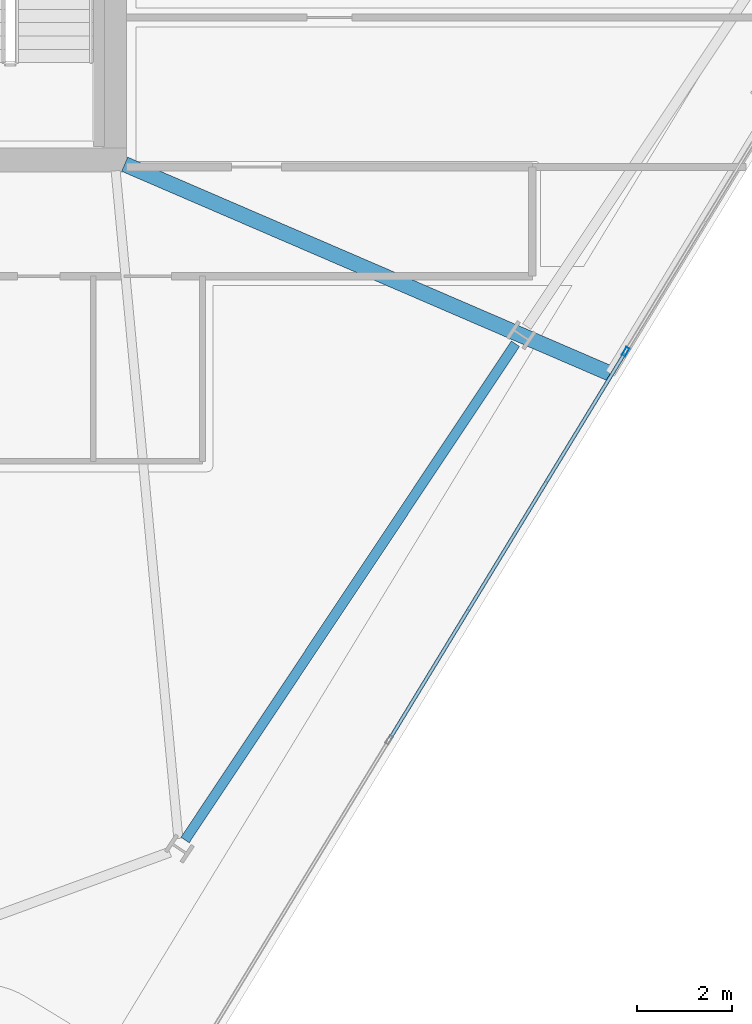
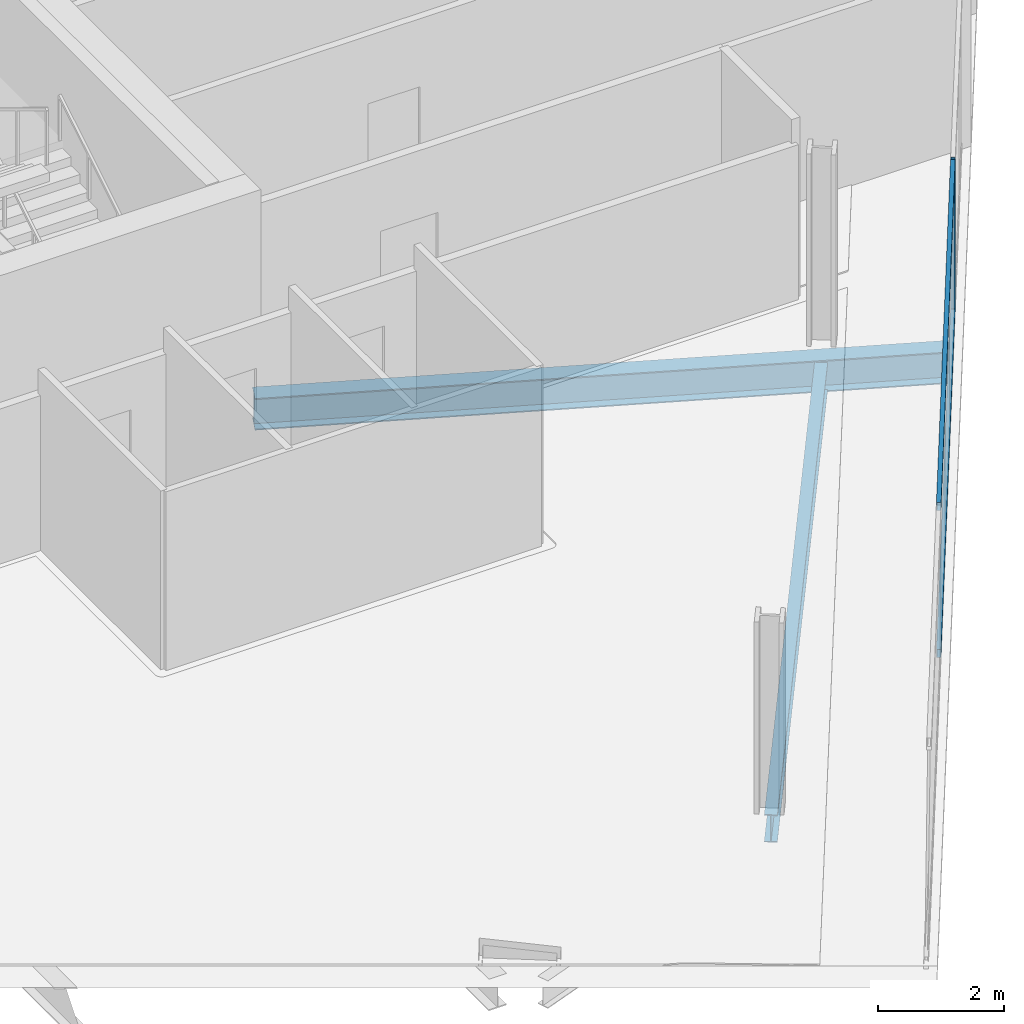
# One storey, part 10 of 28: 3 members, 2 beams, 1 element without a shape of its own.
"""IFC4 building model written with IfcOpenShell, lengths in metres."""

import ifcopenshell
import ifcopenshell.guid

model = None  # the IFC model being written
_history = None  # IfcOwnerHistory: only IFC2X3 demands one
_inside = {}  # id of a spatial element -> (the spatial element, [elements in it])
_under = {}  # id of a project, library or spatial element -> (it, [spatial elements below it])
_declared = {}  # id of a project -> (the project, [libraries it declares])
_typed = {}  # id of a type object -> (the type object, [elements of that type])
_made_of = {}  # id of a material, layer set ... -> (it, [elements and type objects made of it])


def new_model(schema):
    """Start an empty IFC model of exactly this schema.

    Asked for "IFC4X3", IfcOpenShell would pick the latest addendum, in which some entities
    have other attributes; the version numbers below select the first issue.
    IFC2X3 requires an IfcOwnerHistory on every rooted entity: one is made here for all.
    """
    global model, _history
    if schema == "IFC4X3":
        model = ifcopenshell.file(schema_version=(4, 3, 0, 0))
    else:
        model = ifcopenshell.file(schema=schema)
    _inside.clear()
    _under.clear()
    _declared.clear()
    _typed.clear()
    _made_of.clear()
    _history = None
    if model.schema == "IFC2X3":
        org = make("IfcOrganization", Name="unknown")
        user = make(
            "IfcPersonAndOrganization",
            ThePerson=make("IfcPerson", FamilyName="unknown"),
            TheOrganization=org,
        )
        app = make(
            "IfcApplication",
            ApplicationDeveloper=org,
            Version="unknown",
            ApplicationFullName="unknown",
            ApplicationIdentifier="unknown",
        )
        _history = make(
            "IfcOwnerHistory",
            OwningUser=user,
            OwningApplication=app,
            ChangeAction="ADDED",
            CreationDate=0,
        )
    return model


def make(cls, **values):
    """One entity of the class cls with the attributes given. An attribute that is None is left unset."""
    return model.create_entity(
        cls, **{name: value for name, value in values.items() if value is not None}
    )


def rooted(cls, **values):
    """An entity with a GlobalId (a new one), such as an element, a storey or a relation."""
    return make(cls, GlobalId=ifcopenshell.guid.new(), OwnerHistory=_history, **values)


def si_unit(unit_type, name, prefix=None):
    """IfcSIUnit, for example si_unit("LENGTHUNIT", "METRE", prefix="MILLI")."""
    return make("IfcSIUnit", UnitType=unit_type, Prefix=prefix, Name=name)


def assignment(units):
    """IfcUnitAssignment: the units of a project."""
    return None if units is None else make("IfcUnitAssignment", Units=units)


def point(xyz):
    """IfcCartesianPoint."""
    return None if xyz is None else make("IfcCartesianPoint", Coordinates=xyz)


def direction(xyz):
    """IfcDirection."""
    return None if xyz is None else make("IfcDirection", DirectionRatios=xyz)


def frame(location, z_axis=None, x_axis=None):
    """IfcAxis2Placement3D, a coordinate frame: its origin and axes. An axis left out is left unset."""
    return make(
        "IfcAxis2Placement3D",
        Location=point(location),
        Axis=direction(z_axis),
        RefDirection=direction(x_axis),
    )


def frame_2d(location, x_axis=None):
    """IfcAxis2Placement2D, a coordinate frame in the plane: its origin and x axis."""
    return make(
        "IfcAxis2Placement2D", Location=point(location), RefDirection=direction(x_axis)
    )


def origin():
    """The frame at (0, 0, 0) with its axes left unset."""
    return frame((0.0, 0.0, 0.0))


def origin_2d():
    """The frame at (0, 0) in the plane with its x axis left unset."""
    return frame_2d((0.0, 0.0))


def place(relative_to, where):
    """IfcLocalPlacement: puts the frame where relative to a parent placement (None: the world)."""
    return make(
        "IfcLocalPlacement", PlacementRelTo=relative_to, RelativePlacement=where
    )


def context(
    kind, dimensions, precision=None, world=None, true_north=None, identifier=None
):
    """IfcGeometricRepresentationContext, for example the 3D "Model" context."""
    return make(
        "IfcGeometricRepresentationContext",
        ContextIdentifier=identifier,
        ContextType=kind,
        CoordinateSpaceDimension=dimensions,
        Precision=precision,
        WorldCoordinateSystem=world,
        TrueNorth=true_north,
    )


def subcontext(parent, identifier, kind, view, scale=None):
    """IfcGeometricRepresentationSubContext, for example "Body" below "Model"."""
    return make(
        "IfcGeometricRepresentationSubContext",
        ContextIdentifier=identifier,
        ContextType=kind,
        ParentContext=parent,
        TargetScale=scale,
        TargetView=view,
    )


def project(units=None, contexts=None):
    """IfcProject with its units and contexts."""
    return rooted(
        "IfcProject",
        Name="project",
        RepresentationContexts=contexts,
        UnitsInContext=assignment(units),
    )


def spatial(cls, under=None, at=None, **own):
    """A site, building, storey or space (cls), placed at a placement, below another one or the project."""
    s = rooted(cls, ObjectPlacement=at, **own)
    if under is not None:
        _under.setdefault(under.id(), (under, []))[1].append(s)
    return s


def profile(cls, at=None, kind="AREA", **sizes):
    """A parametric profile (cls). Its sizes go by their IFC names, for example OverallWidth=200.0."""
    return make(cls, ProfileType=kind, Position=at, **sizes)


def hollow_rectangle(**sizes):
    """IfcRectangleHollowProfileDef."""
    return profile("IfcRectangleHollowProfileDef", **sizes)


def i_section(**sizes):
    """IfcIShapeProfileDef."""
    return profile("IfcIShapeProfileDef", **sizes)


def extrude(swept, where, along, depth):
    """IfcExtrudedAreaSolid: the profile swept, set in the frame where, extruded along a direction by depth."""
    return make(
        "IfcExtrudedAreaSolid",
        SweptArea=swept,
        Position=where,
        ExtrudedDirection=direction(along),
        Depth=depth,
    )


def shape(context_of_items, identifier, shape_type, items):
    """IfcShapeRepresentation: the items that make up one representation, for example the "Body"."""
    return make(
        "IfcShapeRepresentation",
        ContextOfItems=context_of_items,
        RepresentationIdentifier=identifier,
        RepresentationType=shape_type,
        Items=items,
    )


def material(Name=None, Category=None):
    """IfcMaterial."""
    return make("IfcMaterial", Name=Name, Category=Category)


def material_profile(
    of_material, cross_section, Name=None, Category=None, Priority=None
):
    """IfcMaterialProfile: a cross section and its material."""
    return make(
        "IfcMaterialProfile",
        Name=Name,
        Material=of_material,
        Profile=cross_section,
        Priority=Priority,
        Category=Category,
    )


def profile_set(profiles, Name=None, composite=None):
    """IfcMaterialProfileSet."""
    return make(
        "IfcMaterialProfileSet",
        Name=Name,
        MaterialProfiles=profiles,
        CompositeProfile=composite,
    )


def made_of(thing, what):
    """Note that an element or type object is made of a material, layer set ...; save() writes the relation."""
    if what is not None:
        _made_of.setdefault(what.id(), (what, []))[1].append(thing)
    return thing


def type_object(cls, material=None, **own):
    """A type object (cls), such as IfcWallType, which elements share."""
    return made_of(rooted(cls, **own), material)


def element(
    cls,
    number,
    at=None,
    inside=None,
    cuts=None,
    type_object=None,
    material=None,
    context=None,
    identifier="Body",
    shape_type=None,
    held_by="IfcProductDefinitionShape",
    body=None,
    shapes=None,
    **own,
):
    """One element of the class cls, such as IfcWall. Its Tag is "e" and its number.

    at: its placement. inside: the storey or other place that contains it. cuts: it is an
    opening in that element (IfcRelVoidsElement). A single representation is given by context,
    identifier, shape_type and body (its items); several are given by shapes. held_by: the class
    of the entity that holds the representations. save() writes the other relations.
    """
    e = rooted(cls, Tag="e%d" % number, ObjectPlacement=at, **own)
    if body is not None:
        shapes = [shape(context, identifier, shape_type, body)]
    if shapes is not None:
        e.Representation = make(held_by, Representations=shapes)
    if inside is not None:
        _inside.setdefault(inside.id(), (inside, []))[1].append(e)
    if cuts is not None:
        rooted(
            "IfcRelVoidsElement", RelatingBuildingElement=cuts, RelatedOpeningElement=e
        )
    if type_object is not None:
        _typed.setdefault(type_object.id(), (type_object, []))[1].append(e)
    return made_of(e, material)


def aggregate(whole, parts):
    """IfcRelAggregates: a whole, such as a stair, and the parts it consists of."""
    return rooted("IfcRelAggregates", RelatingObject=whole, RelatedObjects=parts)


def save(model, path):
    """Write the relations noted so far, then the file.

    IfcRelAggregates (storeys below a building ...), IfcRelContainedInSpatialStructure (elements
    in a storey), IfcRelDefinesByType, IfcRelAssociatesMaterial and IfcRelDeclares: one each for
    every whole, place, type object, material and project.
    """
    for whole, parts in _under.values():
        aggregate(whole, parts)
    for where, things in _inside.values():
        rooted(
            "IfcRelContainedInSpatialStructure",
            RelatedElements=things,
            RelatingStructure=where,
        )
    for kind, things in _typed.values():
        rooted("IfcRelDefinesByType", RelatedObjects=things, RelatingType=kind)
    for what, things in _made_of.values():
        rooted("IfcRelAssociatesMaterial", RelatedObjects=things, RelatingMaterial=what)
    for by, libraries in _declared.values():
        rooted("IfcRelDeclares", RelatingContext=by, RelatedDefinitions=libraries)
    model.write(path)


model = new_model("IFC4")

# Units and contexts
model_context = context("Model", 3, precision=1e-05, world=origin(), true_north=direction((0.0, 1.0)))
body_context = subcontext(model_context, "Body", "Model", "MODEL_VIEW")
ifc_project = project(units=[si_unit("LENGTHUNIT", "METRE"), si_unit("AREAUNIT", "SQUARE_METRE"), si_unit("VOLUMEUNIT", "CUBIC_METRE"), si_unit("PLANEANGLEUNIT", "RADIAN"), si_unit("MASSUNIT", "GRAM", prefix="KILO")], contexts=[model_context])

# Site, building, storey
site_placement = place(None, origin())
site = spatial("IfcSite", under=ifc_project, at=site_placement, CompositionType="ELEMENT")
building_placement = place(site_placement, origin())
building = spatial("IfcBuilding", under=site, at=building_placement, Name="Haldenkirk Collegiate Tower", CompositionType="ELEMENT")
storey_placement = place(building_placement, frame((0.0, 0.0, 224.699951171875)))
storey = spatial("IfcBuildingStorey", under=building, at=storey_placement, Name="L56", CompositionType="ELEMENT", Elevation=224.699951171875)

# Beams
ifc_material_1 = material(Name="Steel ASTM A992 Grade 50", Category="steel")
ifc_material_profile_1 = material_profile(ifc_material_1, i_section(OverallWidth=0.324951171875, OverallDepth=0.615966796875, WebThickness=0.013916015625, FlangeThickness=0.021484375, at=origin_2d()), Name="W24X117")
ifc_profile_set_1 = profile_set([ifc_material_profile_1], Name="Steel ASTM A992 Grade 50")
beam_type_1 = type_object("IfcBeamType", Name="BM-GIRDER-W24X117", PredefinedType="BEAM", material=ifc_profile_set_1)
beam_1_placement = place(storey_placement, frame((55.439697265625, 13.499755859375, -0.587890625), z_axis=(-0.918313096355, 0.395854843426, 0.0), x_axis=(-0.395854843426, -0.918313096355, 0.0)))
element("IfcBeam", 1, at=beam_1_placement, inside=storey, type_object=beam_type_1, Name="L56 primary floor girder 06", PredefinedType="BEAM", context=body_context, shape_type="SweptSolid", body=[
    extrude(i_section(OverallWidth=0.324951171875, OverallDepth=0.615966796875, WebThickness=0.013916015625, FlangeThickness=0.021484375, at=origin_2d()), origin(), (0.0, 0.0, 1.0), 11.138427734375),
])
ifc_material_profile_2 = material_profile(ifc_material_1, i_section(OverallWidth=0.2099609375, OverallDepth=0.537109375, WebThickness=0.010986328125, FlangeThickness=0.017333984375, at=origin_2d()), Name="W21X68")
ifc_profile_set_2 = profile_set([ifc_material_profile_2], Name="Steel ASTM A992 Grade 50")
beam_type_2 = type_object("IfcBeamType", Name="BM-SPANDREL-W21X68", PredefinedType="SPANDREL", material=ifc_profile_set_2)
beam_2_placement = place(storey_placement, frame((46.4833984375, 3.67041015625, -0.54833984375), z_axis=(0.554112521622, 0.832441777773, 0.0), x_axis=(-0.832441777773, 0.554112521622, 0.0)))
element("IfcBeam", 2, at=beam_2_placement, inside=storey, type_object=beam_type_2, Name="L56 perimeter spandrel beam 02", PredefinedType="SPANDREL", context=body_context, shape_type="SweptSolid", body=[
    extrude(i_section(OverallWidth=0.2099609375, OverallDepth=0.537109375, WebThickness=0.010986328125, FlangeThickness=0.017333984375, at=origin_2d()), origin(), (0.0, 0.0, 1.0), 12.561767578125),
])

# Curtain wall, members
ifc_material_2 = material(Name="Anodised architectural bronze aluminium", Category="aluminium")
curtain_wall_type = type_object("IfcCurtainWallType", Name="CW-SYS2-CONCAVE", PredefinedType="USERDEFINED", material=ifc_material_2)
curtain_wall_placement = place(storey_placement, origin())
curtain_wall = element("IfcCurtainWall", 3, at=curtain_wall_placement, inside=storey, type_object=curtain_wall_type, Name="L56 South concave recessed bronze-anodised curtain wall", ObjectType="UNITISED CURTAIN WALL", PredefinedType="USERDEFINED")
ifc_material_profile_3 = material_profile(ifc_material_2, hollow_rectangle(XDim=0.074951171875, YDim=0.18994140625, WallThickness=0.0048828125, at=origin_2d()), Name="CW-MUL-02")
ifc_profile_set_3 = profile_set([ifc_material_profile_3], Name="Anodised architectural bronze aluminium")
member_type_1 = type_object("IfcMemberType", Name="CW-MUL-02", PredefinedType="MULLION", material=ifc_profile_set_3)
member_1_placement = place(storey_placement, frame((55.76611328125, 13.95849609375, 0.0), z_axis=(0.0, 0.0, 1.0), x_axis=(0.854004384454, -0.520265808345, 0.0)))
member_1 = element("IfcMember", 4, at=member_1_placement, type_object=member_type_1, Name="CW-02 mullion 3", PredefinedType="MULLION", context=body_context, shape_type="SweptSolid", body=[
    extrude(hollow_rectangle(XDim=0.074951171875, YDim=0.18994140625, WallThickness=0.0048828125, at=origin_2d()), origin(), (0.0, 0.0, 1.0), 2.927978515625),
])
ifc_material_profile_4 = material_profile(ifc_material_2, hollow_rectangle(XDim=0.074951171875, YDim=0.159912109375, WallThickness=0.0048828125, at=origin_2d()), Name="CW-TRN-02")
ifc_profile_set_4 = profile_set([ifc_material_profile_4], Name="Anodised architectural bronze aluminium")
member_type_2 = type_object("IfcMemberType", Name="CW-TRN-02", PredefinedType="USERDEFINED", material=ifc_profile_set_4)
member_2_placement = place(storey_placement, frame((55.74658203125, 13.92626953125, 0.03759765625), z_axis=(-0.52027383402, -0.853999495102, 0.0), x_axis=(0.853999495102, -0.52027383402, 0.0)))
member_2 = element("IfcMember", 5, at=member_2_placement, type_object=member_type_2, Name="CW-02 transom 3.1", ObjectType="TRANSOM", PredefinedType="USERDEFINED", context=body_context, shape_type="SweptSolid", body=[
    extrude(hollow_rectangle(XDim=0.074951171875, YDim=0.159912109375, WallThickness=0.0048828125, at=origin_2d()), origin(), (0.0, 0.0, 1.0), 9.5),
])
member_3_placement = place(storey_placement, frame((55.74658203125, 13.92626953125, 2.890625), z_axis=(-0.52027383402, -0.853999495102, 0.0), x_axis=(0.853999495102, -0.52027383402, 0.0)))
member_3 = element("IfcMember", 6, at=member_3_placement, type_object=member_type_2, Name="CW-02 transom 3.2", ObjectType="TRANSOM", PredefinedType="USERDEFINED", context=body_context, shape_type="SweptSolid", body=[
    extrude(hollow_rectangle(XDim=0.074951171875, YDim=0.159912109375, WallThickness=0.0048828125, at=origin_2d()), origin(), (0.0, 0.0, 1.0), 9.5),
])
aggregate(curtain_wall, [member_1, member_2, member_3])

save(model, "model.ifc")
